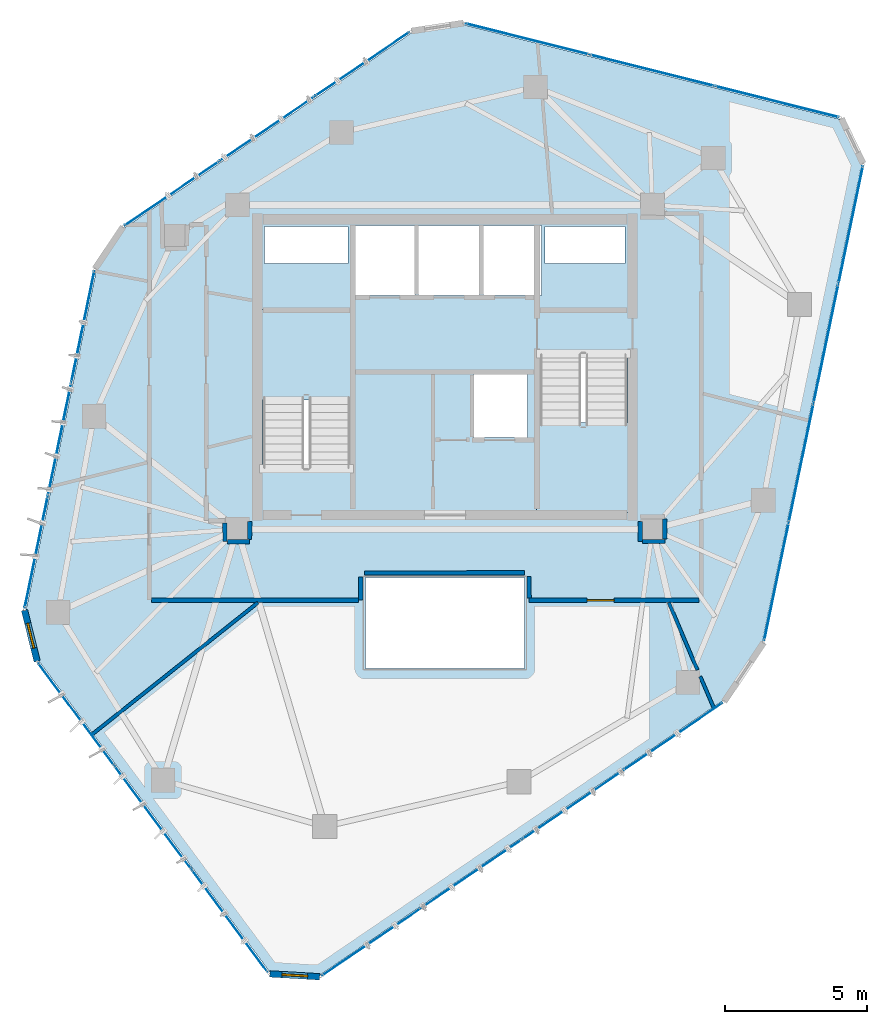
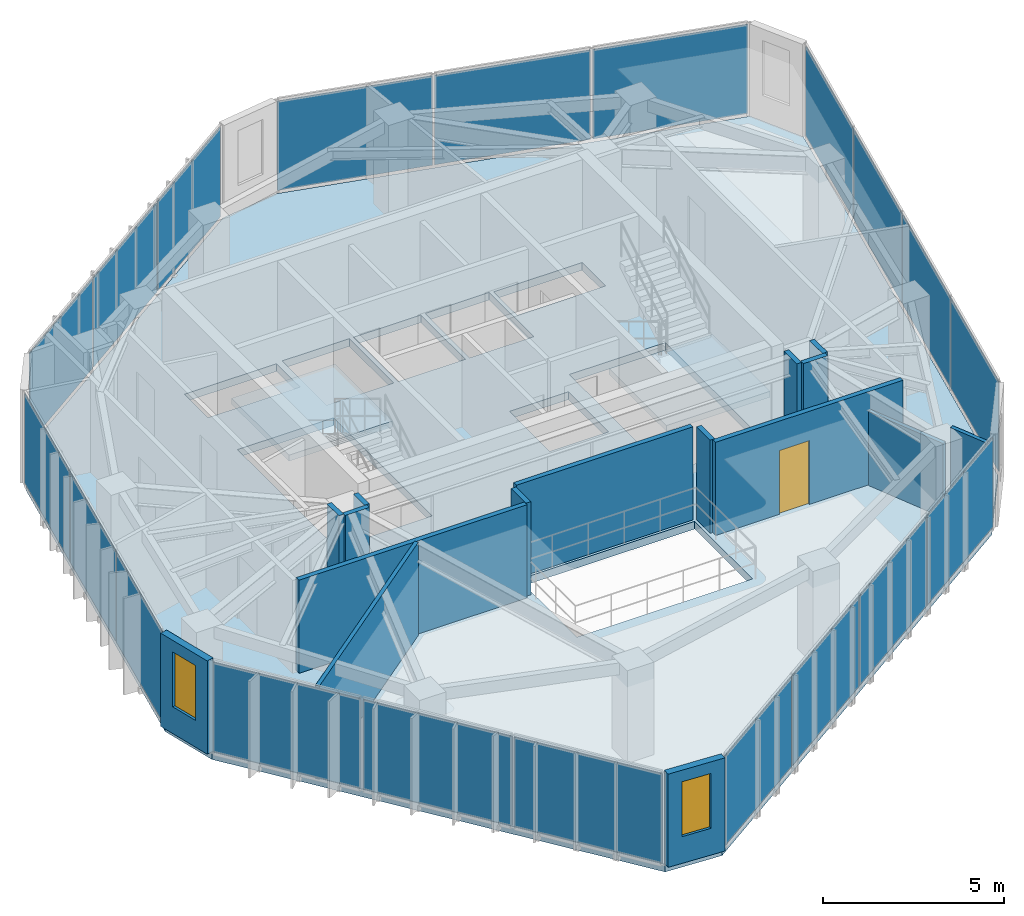
# One storey, part 16 of 20: 20 plates, 16 walls, 3 slabs, 2 windows, 1 door, 3 openings, 8 elements without a shape of their own.
"""IFC4 building model written with IfcOpenShell, lengths in metres."""

from ifc_helpers import new_model, si_unit, direction, frame, frame_2d, origin, origin_2d, place, context, subcontext, project, spatial, polyline, rectangle, outline, extrude, source, transform, mapped, material, layer, layer_set, type_object, type_shapes, element, fill, aggregate, save


model = new_model("IFC4")

# Units and contexts
model_context = context("Model", 3, precision=1e-05, world=origin(), true_north=direction((0.0, 1.0)))
body_context = subcontext(model_context, "Body", "Model", "MODEL_VIEW")
ifc_project = project(units=[si_unit("LENGTHUNIT", "METRE"), si_unit("AREAUNIT", "SQUARE_METRE"), si_unit("VOLUMEUNIT", "CUBIC_METRE"), si_unit("PLANEANGLEUNIT", "RADIAN"), si_unit("MASSUNIT", "GRAM", prefix="KILO")], contexts=[model_context])

# Site, building, storey
site_placement = place(None, origin())
site = spatial("IfcSite", under=ifc_project, at=site_placement, CompositionType="ELEMENT")
building_placement = place(site_placement, origin())
building = spatial("IfcBuilding", under=site, at=building_placement, Name="Talar Marvaseh", CompositionType="ELEMENT")
storey_placement = place(building_placement, frame((0.0, 0.0, 244.199951171875)))
storey = spatial("IfcBuildingStorey", under=building, at=storey_placement, Name="L64", CompositionType="ELEMENT", Elevation=244.199951171875)

# Stair, slab
ifc_material_1 = material(Name="Concrete C40/50", Category="concrete")
stair_type = type_object("IfcStairType", Name="Reinforced Concrete High-Rise Exit Stair Type C", PredefinedType="HALF_TURN_STAIR", material=ifc_material_1)
stair_1_placement = place(storey_placement, origin())
stair_1 = element("IfcStair", 1, at=stair_1_placement, inside=storey, type_object=stair_type, Name="L64 Tower West Core Exit Stair", PredefinedType="HALF_TURN_STAIR")
ifc_layer_1 = layer(ifc_material_1, 0.199951171875)
ifc_layer_set_1 = layer_set([ifc_layer_1], Name="Concrete C40/50")
slab_type_1 = type_object("IfcSlabType", Name="Reinforced Concrete Stair Half-Landing Slab 200", PredefinedType="LANDING", material=ifc_layer_set_1)
slab_1_placement = place(storey_placement, frame((0.0, 0.0, 1.5)))
slab_1 = element("IfcSlab", 2, at=slab_1_placement, type_object=slab_type_1, Name="ST-1 landing 1", PredefinedType="LANDING", context=body_context, shape_type="SweptSolid", body=[
    extrude(outline(polyline([(22.780029296875, 30.050048828125), (22.780029296875, 33.219970703125), (19.47998046875, 33.219970703125), (19.47998046875, 30.050048828125), (22.780029296875, 30.050048828125)])), origin(), (0.0, 0.0, 1.0), 0.199951171875),
])
aggregate(stair_1, [slab_1])

stair_2_placement = place(storey_placement, origin())
stair_2 = element("IfcStair", 3, at=stair_2_placement, inside=storey, type_object=stair_type, Name="L64 Tower East Core Exit Stair", PredefinedType="HALF_TURN_STAIR")
slab_2_placement = place(storey_placement, frame((0.0, 0.0, 1.5)))
slab_2 = element("IfcSlab", 4, at=slab_2_placement, type_object=slab_type_1, Name="ST-2 landing 1", PredefinedType="LANDING", context=body_context, shape_type="SweptSolid", body=[
    extrude(outline(polyline([(29.219970703125, 29.25), (29.219970703125, 26.080078125), (32.52001953125, 26.080078125), (32.52001953125, 29.25), (29.219970703125, 29.25)])), origin(), (0.0, 0.0, 1.0), 0.199951171875),
])
aggregate(stair_2, [slab_2])

# Slab
ifc_layer_2 = layer(ifc_material_1, 0.260009765625)
ifc_layer_set_2 = layer_set([ifc_layer_2], Name="Concrete C40/50")
slab_type_2 = type_object("IfcSlabType", Name="Structural Suspended Floor Slab 260", PredefinedType="FLOOR", material=ifc_layer_set_2)
slab_3_placement = place(storey_placement, frame((0.0, 0.0, -0.260009765625)))
element("IfcSlab", 5, at=slab_3_placement, inside=storey, type_object=slab_type_2, Name="L64 Tower Floor Slab", PredefinedType="FLOOR", context=body_context, shape_type="SweptSolid", body=[
    extrude(outline(polyline([(21.60009765625, 9.815185546875), (19.84521484375, 9.9169921875), (11.716552734375, 20.86376953125), (11.271240234375, 22.666015625), (13.742919921875, 34.619384765625), (14.73193359375, 36.099853515625), (24.82958984375, 42.95751953125), (26.6650390625, 43.235595703125), (39.88916015625, 39.9150390625), (40.65478515625, 38.33251953125), (37.160888671875, 21.54736328125), (35.7705078125, 19.466796875), (21.60009765625, 9.815185546875)]), holes=[polyline([(22.659912109375, 27.64990234375), (22.659912109375, 33.10009765625), (19.60009765625, 33.10009765625), (19.60009765625, 27.64990234375), (22.659912109375, 27.64990234375)]), polyline([(29.340087890625, 31.64990234375), (29.340087890625, 26.199951171875), (32.39990234375, 26.199951171875), (32.39990234375, 31.64990234375), (29.340087890625, 31.64990234375)]), polyline([(22.800048828125, 33.719970703125), (24.93994140625, 33.719970703125), (24.93994140625, 36.179931640625), (22.800048828125, 36.179931640625), (22.800048828125, 33.719970703125)]), polyline([(25.080078125, 33.719970703125), (27.219970703125, 33.719970703125), (27.219970703125, 36.179931640625), (25.080078125, 36.179931640625), (25.080078125, 33.719970703125)]), polyline([(27.360107421875, 33.719970703125), (29.39990234375, 33.719970703125), (29.39990234375, 36.179931640625), (27.360107421875, 36.179931640625), (27.360107421875, 33.719970703125)]), polyline([(27.02001953125, 28.719970703125), (28.89990234375, 28.719970703125), (28.89990234375, 30.93994140625), (27.02001953125, 30.93994140625), (27.02001953125, 28.719970703125)]), polyline([(19.659912109375, 34.840087890625), (22.60009765625, 34.840087890625), (22.60009765625, 36.139892578125), (19.659912109375, 36.139892578125), (19.659912109375, 34.840087890625)]), polyline([(29.52001953125, 34.840087890625), (32.340087890625, 34.840087890625), (32.340087890625, 36.139892578125), (29.52001953125, 36.139892578125), (29.52001953125, 34.840087890625)]), polyline([(23.199951171875, 20.60009765625), (28.800048828125, 20.60009765625), (28.800048828125, 23.800048828125), (23.199951171875, 23.800048828125), (23.199951171875, 20.60009765625)])]), origin(), (0.0, 0.0, 1.0), 0.260009765625),
])

# Curtain wall, plates
ifc_material_2 = material(Name="Architectural Aluminium", Category="aluminium")
ifc_layer_3 = layer(ifc_material_2, 0.179931640625)
ifc_layer_set_3 = layer_set([ifc_layer_3], Name="Architectural Aluminium")
curtain_wall_type = type_object("IfcCurtainWallType", Name="Unitised High-Wind Sky Curtain Wall Z4", PredefinedType="NOTDEFINED", material=ifc_layer_set_3)
curtain_wall_1_placement = place(storey_placement, origin())
curtain_wall_1 = element("IfcCurtainWall", 6, at=curtain_wall_1_placement, inside=storey, type_object=curtain_wall_type, Name="L64 Unitised High-Wind Sky Curtain Wall Z4", PredefinedType="NOTDEFINED")
ifc_material_3 = material(Name="Laminated Low-E Solar Glass", Category="glass")
ifc_layer_4 = layer(ifc_material_3, 0.028076171875)
ifc_layer_set_4 = layer_set([ifc_layer_4], Name="Laminated Low-E Solar Glass")
plate_type = type_object("IfcPlateType", Name="Double-Glazed Low-E Vision Curtain Panel 28", PredefinedType="CURTAIN_PANEL", material=ifc_layer_set_4)
shared_shape_1 = source(origin(), body_context, "Body", "SweptSolid", [
    extrude(rectangle(XDim=4.447509765625, YDim=0.028076171875, at=origin_2d()), origin(), (0.0, 0.0, 1.0), 3.010009765625),
])
plate_1_placement = place(storey_placement, frame((18.4326171875, 11.71875, 0.06494140625), z_axis=(0.0, 0.0, 1.0), x_axis=(-0.596175860227, 0.802853874427, 0.0)))
plate_1 = element("IfcPlate", 7, at=plate_1_placement, type_object=plate_type, Name="CW-Z4 panel 1.1", PredefinedType="CURTAIN_PANEL", context=body_context, shape_type="MappedRepresentation", body=[
    mapped(shared_shape_1, transform((0.0, 0.0, 0.0), x_axis=(1.0, 0.0, 0.0), y_axis=(0.0, 1.0, 0.0), z_axis=(0.0, 0.0, 1.0), scale=1.0)),
])
plate_2_placement = place(storey_placement, frame((13.03271484375, 18.990478515625, 0.06494140625), z_axis=(0.0, 0.0, 1.0), x_axis=(-0.596175860227, 0.802853874427, 0.0)))
plate_2 = element("IfcPlate", 8, at=plate_2_placement, type_object=plate_type, Name="CW-Z4 panel 3.1", PredefinedType="CURTAIN_PANEL", context=body_context, shape_type="MappedRepresentation", body=[
    mapped(shared_shape_1, transform((0.0, 0.0, 0.0), x_axis=(1.0, 0.0, 0.0), y_axis=(0.0, 1.0, 0.0), z_axis=(0.0, 0.0, 1.0), scale=1.0)),
])
shared_shape_2 = source(origin(), body_context, "Body", "SweptSolid", [
    extrude(rectangle(XDim=4.47998046875, YDim=0.028076171875, at=origin_2d()), origin(), (0.0, 0.0, 1.0), 3.010009765625),
])
plate_3_placement = place(storey_placement, frame((15.732666015625, 15.354736328125, 0.06494140625), z_axis=(0.0, 0.0, 1.0), x_axis=(-0.596175860227, 0.802853874427, 0.0)))
plate_3 = element("IfcPlate", 9, at=plate_3_placement, type_object=plate_type, Name="CW-Z4 panel 2.1", PredefinedType="CURTAIN_PANEL", context=body_context, shape_type="MappedRepresentation", body=[
    mapped(shared_shape_2, transform((0.0, 0.0, 0.0), x_axis=(1.0, 0.0, 0.0), y_axis=(0.0, 1.0, 0.0), z_axis=(0.0, 0.0, 1.0), scale=1.0)),
])
aggregate(curtain_wall_1, [plate_1, plate_3, plate_2])

# Curtain wall, plate
curtain_wall_2_placement = place(storey_placement, origin())
curtain_wall_2 = element("IfcCurtainWall", 10, at=curtain_wall_2_placement, inside=storey, type_object=curtain_wall_type, Name="L64 Unitised High-Wind Sky Curtain Wall Z4", PredefinedType="NOTDEFINED")
plate_4_placement = place(storey_placement, frame((33.291748046875, 41.633544921875, 0.06494140625), z_axis=(0.0, 0.0, 1.0), x_axis=(0.969888723898, -0.243548482351, 0.0)))
plate_4 = element("IfcPlate", 11, at=plate_4_placement, type_object=plate_type, Name="CW-Z4 panel 2.1", PredefinedType="CURTAIN_PANEL", context=body_context, shape_type="MappedRepresentation", body=[
    mapped(shared_shape_2, transform((0.0, 0.0, 0.0), x_axis=(1.0, 0.0, 0.0), y_axis=(0.0, 1.0, 0.0), z_axis=(0.0, 0.0, 1.0), scale=1.0)),
])

# Curtain wall, plates
curtain_wall_3_placement = place(storey_placement, origin())
curtain_wall_3 = element("IfcCurtainWall", 12, at=curtain_wall_3_placement, inside=storey, type_object=curtain_wall_type, Name="L64 Unitised High-Wind Sky Curtain Wall Z4", PredefinedType="NOTDEFINED")
shared_shape_3 = source(origin(), body_context, "Body", "SweptSolid", [
    extrude(rectangle(XDim=3.97119140625, YDim=0.028076171875, at=origin_2d()), origin(), (0.0, 0.0, 1.0), 3.010009765625),
])
plate_5_placement = place(storey_placement, frame((11.627685546875, 24.686279296875, 0.06494140625), z_axis=(0.0, 0.0, 1.0), x_axis=(0.202481796914, 0.979286026612, 0.0)))
plate_5 = element("IfcPlate", 13, at=plate_5_placement, type_object=plate_type, Name="CW-Z4 panel 1.1", PredefinedType="CURTAIN_PANEL", context=body_context, shape_type="MappedRepresentation", body=[
    mapped(shared_shape_3, transform((0.0, 0.0, 0.0), x_axis=(1.0, 0.0, 0.0), y_axis=(0.0, 1.0, 0.0), z_axis=(0.0, 0.0, 1.0), scale=1.0)),
])
plate_6_placement = place(storey_placement, frame((13.268798828125, 32.623291015625, 0.06494140625), z_axis=(0.0, 0.0, 1.0), x_axis=(0.202481796914, 0.979286026612, 0.0)))
plate_6 = element("IfcPlate", 14, at=plate_6_placement, type_object=plate_type, Name="CW-Z4 panel 3.1", PredefinedType="CURTAIN_PANEL", context=body_context, shape_type="MappedRepresentation", body=[
    mapped(shared_shape_3, transform((0.0, 0.0, 0.0), x_axis=(1.0, 0.0, 0.0), y_axis=(0.0, 1.0, 0.0), z_axis=(0.0, 0.0, 1.0), scale=1.0)),
])

curtain_wall_4_placement = place(storey_placement, origin())
curtain_wall_4 = element("IfcCurtainWall", 15, at=curtain_wall_4_placement, inside=storey, type_object=curtain_wall_type, Name="L64 Unitised High-Wind Sky Curtain Wall Z4", PredefinedType="NOTDEFINED")
plate_7_placement = place(storey_placement, frame((16.394775390625, 37.301513671875, 0.06494140625), z_axis=(0.0, 0.0, 1.0), x_axis=(0.827257786277, 0.561822529848, 0.0)))
plate_7 = element("IfcPlate", 16, at=plate_7_placement, type_object=plate_type, Name="CW-Z4 panel 1.1", PredefinedType="CURTAIN_PANEL", context=body_context, shape_type="MappedRepresentation", body=[
    mapped(shared_shape_3, transform((0.0, 0.0, 0.0), x_axis=(1.0, 0.0, 0.0), y_axis=(0.0, 1.0, 0.0), z_axis=(0.0, 0.0, 1.0), scale=1.0)),
])
plate_8_placement = place(storey_placement, frame((23.099365234375, 41.85498046875, 0.06494140625), z_axis=(0.0, 0.0, 1.0), x_axis=(0.827257786277, 0.561822529848, 0.0)))
plate_8 = element("IfcPlate", 17, at=plate_8_placement, type_object=plate_type, Name="CW-Z4 panel 3.1", PredefinedType="CURTAIN_PANEL", context=body_context, shape_type="MappedRepresentation", body=[
    mapped(shared_shape_3, transform((0.0, 0.0, 0.0), x_axis=(1.0, 0.0, 0.0), y_axis=(0.0, 1.0, 0.0), z_axis=(0.0, 0.0, 1.0), scale=1.0)),
])

# Plate
shared_shape_4 = source(origin(), body_context, "Body", "SweptSolid", [
    extrude(rectangle(XDim=4.003662109375, YDim=0.028076171875, at=origin_2d()), origin(), (0.0, 0.0, 1.0), 3.010009765625),
])
plate_9_placement = place(storey_placement, frame((12.4482421875, 28.65478515625, 0.06494140625), z_axis=(0.0, 0.0, 1.0), x_axis=(0.202481796914, 0.979286026612, 0.0)))
plate_9 = element("IfcPlate", 18, at=plate_9_placement, type_object=plate_type, Name="CW-Z4 panel 2.1", PredefinedType="CURTAIN_PANEL", context=body_context, shape_type="MappedRepresentation", body=[
    mapped(shared_shape_4, transform((0.0, 0.0, 0.0), x_axis=(1.0, 0.0, 0.0), y_axis=(0.0, 1.0, 0.0), z_axis=(0.0, 0.0, 1.0), scale=1.0)),
])

aggregate(curtain_wall_3, [plate_5, plate_9, plate_6])

plate_10_placement = place(storey_placement, frame((19.7470703125, 39.578125, 0.06494140625), z_axis=(0.0, 0.0, 1.0), x_axis=(0.827257786277, 0.561822529848, 0.0)))
plate_10 = element("IfcPlate", 19, at=plate_10_placement, type_object=plate_type, Name="CW-Z4 panel 2.1", PredefinedType="CURTAIN_PANEL", context=body_context, shape_type="MappedRepresentation", body=[
    mapped(shared_shape_4, transform((0.0, 0.0, 0.0), x_axis=(1.0, 0.0, 0.0), y_axis=(0.0, 1.0, 0.0), z_axis=(0.0, 0.0, 1.0), scale=1.0)),
])

aggregate(curtain_wall_4, [plate_7, plate_10, plate_8])

# Curtain wall, plates
curtain_wall_5_placement = place(storey_placement, origin())
curtain_wall_5 = element("IfcCurtainWall", 20, at=curtain_wall_5_placement, inside=storey, type_object=curtain_wall_type, Name="L64 Unitised High-Wind Sky Curtain Wall Z4", PredefinedType="NOTDEFINED")
shared_shape_5 = source(origin(), body_context, "Body", "SweptSolid", [
    extrude(rectangle(XDim=4.188720703125, YDim=0.028076171875, at=origin_2d()), origin(), (0.0, 0.0, 1.0), 3.010009765625),
])
plate_11_placement = place(storey_placement, frame((40.2734375, 36.206298828125, 0.06494140625), z_axis=(0.0, 0.0, 1.0), x_axis=(-0.203791210093, -0.979014373076, 0.0)))
plate_11 = element("IfcPlate", 21, at=plate_11_placement, type_object=plate_type, Name="CW-Z4 panel 1.1", PredefinedType="CURTAIN_PANEL", context=body_context, shape_type="MappedRepresentation", body=[
    mapped(shared_shape_5, transform((0.0, 0.0, 0.0), x_axis=(1.0, 0.0, 0.0), y_axis=(0.0, 1.0, 0.0), z_axis=(0.0, 0.0, 1.0), scale=1.0)),
])
plate_12_placement = place(storey_placement, frame((37.65966796875, 23.649169921875, 0.06494140625), z_axis=(0.0, 0.0, 1.0), x_axis=(-0.203791210093, -0.979014373076, 0.0)))
plate_12 = element("IfcPlate", 22, at=plate_12_placement, type_object=plate_type, Name="CW-Z4 panel 4.1", PredefinedType="CURTAIN_PANEL", context=body_context, shape_type="MappedRepresentation", body=[
    mapped(shared_shape_5, transform((0.0, 0.0, 0.0), x_axis=(1.0, 0.0, 0.0), y_axis=(0.0, 1.0, 0.0), z_axis=(0.0, 0.0, 1.0), scale=1.0)),
])

curtain_wall_6_placement = place(storey_placement, origin())
curtain_wall_6 = element("IfcCurtainWall", 23, at=curtain_wall_6_placement, inside=storey, type_object=curtain_wall_type, Name="L64 Unitised High-Wind Sky Curtain Wall Z4", PredefinedType="NOTDEFINED")
plate_13_placement = place(storey_placement, frame((34.019775390625, 18.201416015625, 0.06494140625), z_axis=(0.0, 0.0, 1.0), x_axis=(-0.826502421097, -0.562933164702, 0.0)))
plate_13 = element("IfcPlate", 24, at=plate_13_placement, type_object=plate_type, Name="CW-Z4 panel 1.1", PredefinedType="CURTAIN_PANEL", context=body_context, shape_type="MappedRepresentation", body=[
    mapped(shared_shape_5, transform((0.0, 0.0, 0.0), x_axis=(1.0, 0.0, 0.0), y_axis=(0.0, 1.0, 0.0), z_axis=(0.0, 0.0, 1.0), scale=1.0)),
])
plate_14_placement = place(storey_placement, frame((23.418701171875, 10.981201171875, 0.06494140625), z_axis=(0.0, 0.0, 1.0), x_axis=(-0.826502421097, -0.562933164702, 0.0)))
plate_14 = element("IfcPlate", 25, at=plate_14_placement, type_object=plate_type, Name="CW-Z4 panel 4.1", PredefinedType="CURTAIN_PANEL", context=body_context, shape_type="MappedRepresentation", body=[
    mapped(shared_shape_5, transform((0.0, 0.0, 0.0), x_axis=(1.0, 0.0, 0.0), y_axis=(0.0, 1.0, 0.0), z_axis=(0.0, 0.0, 1.0), scale=1.0)),
])

# Plate
shared_shape_6 = source(origin(), body_context, "Body", "SweptSolid", [
    extrude(rectangle(XDim=4.22119140625, YDim=0.028076171875, at=origin_2d()), origin(), (0.0, 0.0, 1.0), 3.010009765625),
])
plate_15_placement = place(storey_placement, frame((39.4033203125, 32.02587890625, 0.06494140625), z_axis=(0.0, 0.0, 1.0), x_axis=(-0.203791210093, -0.979014373076, 0.0)))
plate_15 = element("IfcPlate", 26, at=plate_15_placement, type_object=plate_type, Name="CW-Z4 panel 2.1", PredefinedType="CURTAIN_PANEL", context=body_context, shape_type="MappedRepresentation", body=[
    mapped(shared_shape_6, transform((0.0, 0.0, 0.0), x_axis=(1.0, 0.0, 0.0), y_axis=(0.0, 1.0, 0.0), z_axis=(0.0, 0.0, 1.0), scale=1.0)),
])

plate_16_placement = place(storey_placement, frame((38.52978515625, 27.82958984375, 0.06494140625), z_axis=(0.0, 0.0, 1.0), x_axis=(-0.203791210093, -0.979014373076, 0.0)))
plate_16 = element("IfcPlate", 27, at=plate_16_placement, type_object=plate_type, Name="CW-Z4 panel 3.1", PredefinedType="CURTAIN_PANEL", context=body_context, shape_type="MappedRepresentation", body=[
    mapped(shared_shape_6, transform((0.0, 0.0, 0.0), x_axis=(1.0, 0.0, 0.0), y_axis=(0.0, 1.0, 0.0), z_axis=(0.0, 0.0, 1.0), scale=1.0)),
])

aggregate(curtain_wall_5, [plate_11, plate_15, plate_16, plate_12])

plate_17_placement = place(storey_placement, frame((30.490478515625, 15.7978515625, 0.06494140625), z_axis=(0.0, 0.0, 1.0), x_axis=(-0.826502421097, -0.562933164702, 0.0)))
plate_17 = element("IfcPlate", 28, at=plate_17_placement, type_object=plate_type, Name="CW-Z4 panel 2.1", PredefinedType="CURTAIN_PANEL", context=body_context, shape_type="MappedRepresentation", body=[
    mapped(shared_shape_6, transform((0.0, 0.0, 0.0), x_axis=(1.0, 0.0, 0.0), y_axis=(0.0, 1.0, 0.0), z_axis=(0.0, 0.0, 1.0), scale=1.0)),
])

plate_18_placement = place(storey_placement, frame((26.947998046875, 13.385009765625, 0.06494140625), z_axis=(0.0, 0.0, 1.0), x_axis=(-0.826502421097, -0.562933164702, 0.0)))
plate_18 = element("IfcPlate", 29, at=plate_18_placement, type_object=plate_type, Name="CW-Z4 panel 3.1", PredefinedType="CURTAIN_PANEL", context=body_context, shape_type="MappedRepresentation", body=[
    mapped(shared_shape_6, transform((0.0, 0.0, 0.0), x_axis=(1.0, 0.0, 0.0), y_axis=(0.0, 1.0, 0.0), z_axis=(0.0, 0.0, 1.0), scale=1.0)),
])

aggregate(curtain_wall_6, [plate_13, plate_17, plate_18, plate_14])

shared_shape_7 = source(origin(), body_context, "Body", "SweptSolid", [
    extrude(rectangle(XDim=4.447265625, YDim=0.028076171875, at=origin_2d()), origin(), (0.0, 0.0, 1.0), 3.010009765625),
])
type_shapes(plate_type, [shared_shape_1, shared_shape_2, shared_shape_3, shared_shape_4, shared_shape_5, shared_shape_6, shared_shape_7])
plate_19_placement = place(storey_placement, frame((28.8994140625, 42.736572265625, 0.06494140625), z_axis=(0.0, 0.0, 1.0), x_axis=(0.969888723898, -0.243548482351, 0.0)))
plate_19 = element("IfcPlate", 30, at=plate_19_placement, type_object=plate_type, Name="CW-Z4 panel 1.1", PredefinedType="CURTAIN_PANEL", context=body_context, shape_type="MappedRepresentation", body=[
    mapped(shared_shape_7, transform((0.0, 0.0, 0.0), x_axis=(1.0, 0.0, 0.0), y_axis=(0.0, 1.0, 0.0), z_axis=(0.0, 0.0, 1.0), scale=1.0)),
])

plate_20_placement = place(storey_placement, frame((37.683837890625, 40.530517578125, 0.06494140625), z_axis=(0.0, 0.0, 1.0), x_axis=(0.969888723898, -0.243548482351, 0.0)))
plate_20 = element("IfcPlate", 31, at=plate_20_placement, type_object=plate_type, Name="CW-Z4 panel 3.1", PredefinedType="CURTAIN_PANEL", context=body_context, shape_type="MappedRepresentation", body=[
    mapped(shared_shape_7, transform((0.0, 0.0, 0.0), x_axis=(1.0, 0.0, 0.0), y_axis=(0.0, 1.0, 0.0), z_axis=(0.0, 0.0, 1.0), scale=1.0)),
])

aggregate(curtain_wall_2, [plate_19, plate_4, plate_20])

# Wall, opening, window
ifc_material_4 = material(Name="Precast concrete C45/55", Category="concrete")
ifc_layer_5 = layer(ifc_material_4, 0.22509765625)
ifc_layer_set_5 = layer_set([ifc_layer_5], Name="Precast concrete C45/55")
wall_type_1 = type_object("IfcWallType", Name="Chamfered Hexagonal Corner Pier Wall Z4 225", PredefinedType="SOLIDWALL", material=ifc_layer_set_5)
wall_1_placement = place(storey_placement, frame((21.5966796875, 9.75537109375, 0.0), z_axis=(0.0, 0.0, 1.0), x_axis=(-0.998321461005, 0.057915977913, 0.0)))
wall_1 = element("IfcWall", 32, at=wall_1_placement, inside=storey, type_object=wall_type_1, Name="L64 Chamfered Corner Limestone Pier 1", PredefinedType="SOLIDWALL", context=body_context, shape_type="SweptSolid", body=[
    extrude(rectangle(XDim=1.7578125, YDim=0.22509765625, at=frame_2d((0.87890625, 0.0))), origin(), (0.0, 0.0, 1.0), 3.14013671875),
])
opening_1_placement = place(wall_1_placement, frame((0.428955078125, 0.0, 0.89990234375)))
opening_1 = element("IfcOpeningElement", 33, at=opening_1_placement, cuts=wall_1, Name="Opening WN-CHM09", PredefinedType="OPENING", context=body_context, shape_type="SweptSolid", body=[
    extrude(rectangle(XDim=0.89990234375, YDim=1.85009765625, at=frame_2d((0.449951171875, 0.925048828125))), frame((0.0, 0.12255859375, 0.0), z_axis=(0.0, -1.0, 0.0), x_axis=(1.0, 0.0, 0.0)), (0.0, 0.0, 1.0), 0.2451171875),
])
window_type = type_object("IfcWindowType", Name="Zone 4 Chamfered Corner Slot Window 900x1850", PartitioningType="SINGLE_PANEL", PredefinedType="WINDOW", material=ifc_material_3)
shared_shape_8 = source(origin(), body_context, "Body", "SweptSolid", [
    extrude(rectangle(XDim=0.89990234375, YDim=1.85009765625, at=frame_2d((0.449951171875, 0.925048828125))), frame((0.0, 0.030029296875, 0.0), z_axis=(0.0, -1.0, 0.0), x_axis=(1.0, 0.0, 0.0)), (0.0, 0.0, 1.0), 0.06005859375),
])
type_shapes(window_type, [shared_shape_8])
window_1_placement = place(opening_1_placement, origin())
window_1 = element("IfcWindow", 34, at=window_1_placement, inside=storey, type_object=window_type, Name="L64 Chamfered Corner Slot Window", OverallHeight=1.85009765625, OverallWidth=0.89990234375, PartitioningType="SINGLE_PANEL", PredefinedType="WINDOW", context=body_context, shape_type="MappedRepresentation", body=[
    mapped(shared_shape_8, transform((0.0, 0.0, 0.0), x_axis=(1.0, 0.0, 0.0), y_axis=(0.0, 1.0, 0.0), z_axis=(0.0, 0.0, 1.0), scale=1.0)),
])
fill(opening_1, window_1)

wall_2_placement = place(storey_placement, frame((11.658203125, 20.849365234375, 0.0), z_axis=(0.0, 0.0, 1.0), x_axis=(-0.239749627894, 0.97083475212, 0.0)))
wall_2 = element("IfcWall", 35, at=wall_2_placement, inside=storey, type_object=wall_type_1, Name="L64 Chamfered Corner Limestone Pier 2", PredefinedType="SOLIDWALL", context=body_context, shape_type="SweptSolid", body=[
    extrude(rectangle(XDim=1.8564453125, YDim=0.22509765625, at=frame_2d((0.92822265625, 0.0))), origin(), (0.0, 0.0, 1.0), 3.14013671875),
])
opening_2_placement = place(wall_2_placement, frame((0.47802734375, 0.0, 0.89990234375)))
opening_2 = element("IfcOpeningElement", 36, at=opening_2_placement, cuts=wall_2, Name="Opening WN-CHM09", PredefinedType="OPENING", context=body_context, shape_type="SweptSolid", body=[
    extrude(rectangle(XDim=0.89990234375, YDim=1.85009765625, at=frame_2d((0.449951171875, 0.925048828125))), frame((0.0, 0.12255859375, 0.0), z_axis=(0.0, -1.0, 0.0), x_axis=(1.0, 0.0, 0.0)), (0.0, 0.0, 1.0), 0.2451171875),
])
window_2_placement = place(opening_2_placement, origin())
window_2 = element("IfcWindow", 37, at=window_2_placement, inside=storey, type_object=window_type, Name="L64 Chamfered Corner Slot Window", OverallHeight=1.85009765625, OverallWidth=0.89990234375, PartitioningType="SINGLE_PANEL", PredefinedType="WINDOW", context=body_context, shape_type="MappedRepresentation", body=[
    mapped(shared_shape_8, transform((0.0, 0.0, 0.0), x_axis=(1.0, 0.0, 0.0), y_axis=(0.0, 1.0, 0.0), z_axis=(0.0, 0.0, 1.0), scale=1.0)),
])
fill(opening_2, window_2)

# Wall, opening, door
ifc_material_5 = material(Name="Gypsum Board Partition Assembly")
ifc_layer_6 = layer(ifc_material_5, 0.155029296875)
ifc_layer_set_6 = layer_set([ifc_layer_6], Name="Gypsum Board Partition Assembly")
wall_type_2 = type_object("IfcWallType", Name="Corridor Fire-Rated Acoustic Partition 155", PredefinedType="PARTITIONING", material=ifc_layer_set_6)
wall_3_placement = place(storey_placement, frame((34.9365234375, 23.0, 0.0), z_axis=(0.0, 0.0, 1.0), x_axis=(-1.0, 0.0, 0.0)))
wall_3 = element("IfcWall", 38, at=wall_3_placement, inside=storey, type_object=wall_type_2, Name="L64 Interior Partition Wall", PredefinedType="PARTITIONING", context=body_context, shape_type="SweptSolid", body=[
    extrude(rectangle(XDim=5.9765625, YDim=0.155029296875, at=frame_2d((2.98828125, 0.0))), origin(), (0.0, 0.0, 1.0), 3.14013671875),
])
opening_3_placement = place(wall_3_placement, frame((2.9873046875, 0.0, 0.0)))
opening_3 = element("IfcOpeningElement", 39, at=opening_3_placement, cuts=wall_3, Name="Opening DR-WC095", PredefinedType="OPENING", context=body_context, shape_type="SweptSolid", body=[
    extrude(rectangle(XDim=0.949951171875, YDim=2.14990234375, at=frame_2d((0.47509765625, 1.074951171875))), frame((0.0, 0.08740234375, 0.0), z_axis=(0.0, -1.0, 0.0), x_axis=(1.0, 0.0, 0.0)), (0.0, 0.0, 1.0), 0.175048828125),
])
ifc_material_6 = material(Name="Acoustic Engineered Oak Timber", Category="wood")
door_type = type_object("IfcDoorType", Name="Washroom and Service Room Door 950x2150", OperationType="NOTDEFINED", PredefinedType="DOOR", material=ifc_material_6)
shared_shape_9 = source(origin(), body_context, "Body", "SweptSolid", [
    extrude(rectangle(XDim=0.949951171875, YDim=2.14990234375, at=frame_2d((0.47509765625, 1.074951171875))), frame((0.0, 0.02490234375, 0.0), z_axis=(0.0, -1.0, 0.0), x_axis=(1.0, 0.0, 0.0)), (0.0, 0.0, 1.0), 0.050048828125),
])
type_shapes(door_type, [shared_shape_9])
door_placement = place(opening_3_placement, origin())
door = element("IfcDoor", 40, at=door_placement, inside=storey, type_object=door_type, Name="L64 Hospitality Tea Pantry Door", OperationType="SINGLE_SWING_LEFT", OverallHeight=2.14990234375, OverallWidth=0.949951171875, PredefinedType="DOOR", context=body_context, shape_type="MappedRepresentation", body=[
    mapped(shared_shape_9, transform((0.0, 0.0, 0.0), x_axis=(1.0, 0.0, 0.0), y_axis=(0.0, 1.0, 0.0), z_axis=(0.0, 0.0, 1.0), scale=1.0)),
])
fill(opening_3, door)

# Walls
wall_4_placement = place(storey_placement, frame((18.260986328125, 25.716552734375, 0.0), z_axis=(0.0, 0.0, 1.0), x_axis=(0.010439401276, -0.999945507966, 0.0)))
element("IfcWall", 41, at=wall_4_placement, inside=storey, type_object=wall_type_2, Name="L64 Interior Partition Wall", PredefinedType="PARTITIONING", context=body_context, shape_type="SweptSolid", body=[
    extrude(rectangle(XDim=0.65478515625, YDim=0.155029296875, at=frame_2d((0.327392578125, 0.0))), origin(), (0.0, 0.0, 1.0), 3.14013671875),
])
wall_5_placement = place(storey_placement, frame((18.351318359375, 25.0615234375, 0.0), z_axis=(0.0, 0.0, 1.0), x_axis=(0.999998207633, -0.001893338355, 0.0)))
element("IfcWall", 42, at=wall_5_placement, inside=storey, type_object=wall_type_2, Name="L64 Interior Partition Wall", PredefinedType="PARTITIONING", context=body_context, shape_type="SweptSolid", body=[
    extrude(rectangle(XDim=0.773681640625, YDim=0.155029296875, at=frame_2d((0.38671875, 0.0))), origin(), (0.0, 0.0, 1.0), 3.14013671875),
])
wall_6_placement = place(storey_placement, frame((19.126708984375, 25.1435546875, 0.0), z_axis=(0.0, 0.0, 1.0), x_axis=(0.021238324089, 0.999774441357, 0.0)))
element("IfcWall", 43, at=wall_6_placement, inside=storey, type_object=wall_type_2, Name="L64 Interior Partition Wall", PredefinedType="PARTITIONING", context=body_context, shape_type="SweptSolid", body=[
    extrude(rectangle(XDim=0.620849609375, YDim=0.155029296875, at=frame_2d((0.310546875, 0.0))), origin(), (0.0, 0.0, 1.0), 3.14013671875),
])
wall_7_placement = place(storey_placement, frame((28.959716796875, 23.08349609375, 0.0), z_axis=(0.0, 0.0, 1.0), x_axis=(-0.003917697652, 0.999992325793, 0.0)))
element("IfcWall", 44, at=wall_7_placement, inside=storey, type_object=wall_type_2, Name="L64 Interior Partition Wall", PredefinedType="PARTITIONING", context=body_context, shape_type="SweptSolid", body=[
    extrude(rectangle(XDim=0.747802734375, YDim=0.155029296875, at=frame_2d((0.3740234375, 0.0))), origin(), (0.0, 0.0, 1.0), 3.14013671875),
])
wall_8_placement = place(storey_placement, frame((28.800048828125, 23.9599609375, 0.0), z_axis=(0.0, 0.0, 1.0), x_axis=(-0.999999841177, -0.000563600015, 0.0)))
element("IfcWall", 45, at=wall_8_placement, inside=storey, type_object=wall_type_2, Name="L64 Interior Partition Wall", PredefinedType="PARTITIONING", context=body_context, shape_type="SweptSolid", body=[
    extrude(rectangle(XDim=5.63134765625, YDim=0.155029296875, at=frame_2d((2.815673828125, 0.0))), origin(), (0.0, 0.0, 1.0), 3.14013671875),
])
wall_9_placement = place(storey_placement, frame((23.040771484375, 23.815673828125, 0.0), z_axis=(0.0, 0.0, 1.0), x_axis=(-0.000897934388, -0.999999596857, 0.0)))
element("IfcWall", 46, at=wall_9_placement, inside=storey, type_object=wall_type_2, Name="L64 Interior Partition Wall", PredefinedType="PARTITIONING", context=body_context, shape_type="SweptSolid", body=[
    extrude(rectangle(XDim=0.815673828125, YDim=0.155029296875, at=frame_2d((0.40771484375, 0.0))), origin(), (0.0, 0.0, 1.0), 3.14013671875),
])
wall_10_placement = place(storey_placement, frame((22.95654296875, 23.0, 0.0), z_axis=(0.0, 0.0, 1.0), x_axis=(-1.0, 0.0, 0.0)))
element("IfcWall", 47, at=wall_10_placement, inside=storey, type_object=wall_type_2, Name="L64 Interior Partition Wall", PredefinedType="PARTITIONING", context=body_context, shape_type="SweptSolid", body=[
    extrude(rectangle(XDim=7.27294921875, YDim=0.155029296875, at=frame_2d((3.636474609375, 0.0))), origin(), (0.0, 0.0, 1.0), 3.14013671875),
])
wall_11_placement = place(storey_placement, frame((32.864501953125, 25.772705078125, 0.0), z_axis=(0.0, 0.0, 1.0), x_axis=(0.0, -1.0, 0.0)))
element("IfcWall", 48, at=wall_11_placement, inside=storey, type_object=wall_type_2, Name="L64 Interior Partition Wall", PredefinedType="PARTITIONING", context=body_context, shape_type="SweptSolid", body=[
    extrude(rectangle(XDim=0.708251953125, YDim=0.155029296875, at=frame_2d((0.35400390625, 0.0))), origin(), (0.0, 0.0, 1.0), 3.14013671875),
])
wall_12_placement = place(storey_placement, frame((32.947998046875, 25.064453125, 0.0), z_axis=(0.0, 0.0, 1.0), x_axis=(1.0, 0.0, 0.0)))
element("IfcWall", 49, at=wall_12_placement, inside=storey, type_object=wall_type_2, Name="L64 Interior Partition Wall", PredefinedType="PARTITIONING", context=body_context, shape_type="SweptSolid", body=[
    extrude(rectangle(XDim=0.78759765625, YDim=0.155029296875, at=frame_2d((0.393798828125, 0.0))), origin(), (0.0, 0.0, 1.0), 3.14013671875),
])
wall_13_placement = place(storey_placement, frame((33.734619140625, 25.14794921875, 0.0), z_axis=(0.0, 0.0, 1.0), x_axis=(-0.012059770759, 0.99992727832, 0.0)))
element("IfcWall", 50, at=wall_13_placement, inside=storey, type_object=wall_type_2, Name="L64 Interior Partition Wall", PredefinedType="PARTITIONING", context=body_context, shape_type="SweptSolid", body=[
    extrude(rectangle(XDim=0.70849609375, YDim=0.155029296875, at=frame_2d((0.354248046875, 0.0))), origin(), (0.0, 0.0, 1.0), 3.14013671875),
])
ifc_layer_7 = layer(ifc_material_5, 0.1201171875)
ifc_layer_set_7 = layer_set([ifc_layer_7], Name="Gypsum Board Partition Assembly")
wall_type_3 = type_object("IfcWallType", Name="Demountable Studio Room Partition 120", PredefinedType="PARTITIONING", material=ifc_layer_set_7)
wall_14_placement = place(storey_placement, frame((19.4248046875, 22.91650390625, 0.0), z_axis=(0.0, 0.0, 1.0), x_axis=(-0.782821208676, -0.622246699668, 0.0)))
element("IfcWall", 51, at=wall_14_placement, inside=storey, type_object=wall_type_3, Name="L64 Interior Partition Wall", PredefinedType="PARTITIONING", context=body_context, shape_type="SweptSolid", body=[
    extrude(rectangle(XDim=7.45166015625, YDim=0.1201171875, at=frame_2d((3.725830078125, 0.0))), origin(), (0.0, 0.0, 1.0), 3.14013671875),
])
wall_15_placement = place(storey_placement, frame((33.87548828125, 22.91650390625, 0.0), z_axis=(0.0, 0.0, 1.0), x_axis=(0.390696173122, -0.920519690342, 0.0)))
element("IfcWall", 52, at=wall_15_placement, inside=storey, type_object=wall_type_3, Name="L64 Interior Partition Wall", PredefinedType="PARTITIONING", context=body_context, shape_type="SweptSolid", body=[
    extrude(rectangle(XDim=2.57080078125, YDim=0.1201171875, at=frame_2d((1.285400390625, 0.0))), origin(), (0.0, 0.0, 1.0), 2.498046875),
])
wall_16_placement = place(storey_placement, frame((34.97998046875, 20.320068359375, 0.0), z_axis=(0.0, 0.0, 1.0), x_axis=(0.396211414349, -0.918159308149, 0.0)))
element("IfcWall", 53, at=wall_16_placement, inside=storey, type_object=wall_type_3, Name="L64 Interior Partition Wall", PredefinedType="PARTITIONING", context=body_context, shape_type="SweptSolid", body=[
    extrude(rectangle(XDim=1.207763671875, YDim=0.1201171875, at=frame_2d((0.60400390625, 0.0))), origin(), (0.0, 0.0, 1.0), 3.14013671875),
])

save(model, "model.ifc")
